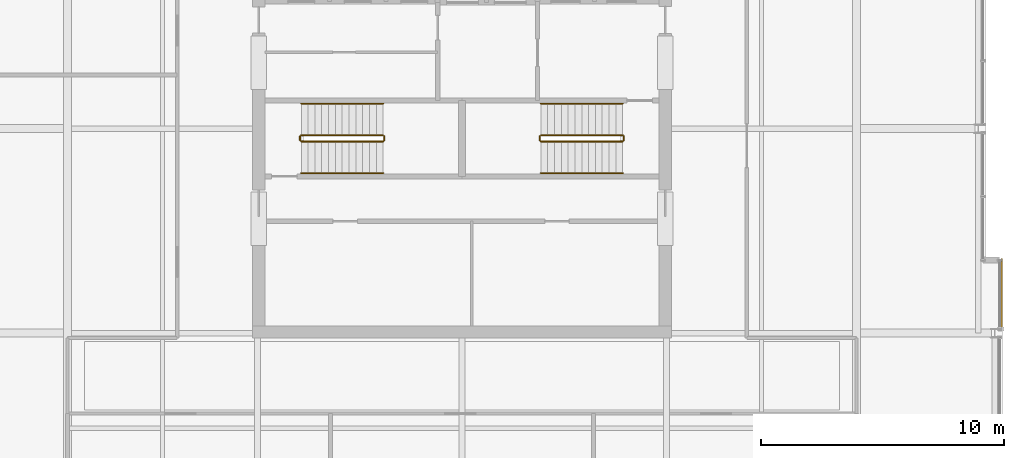
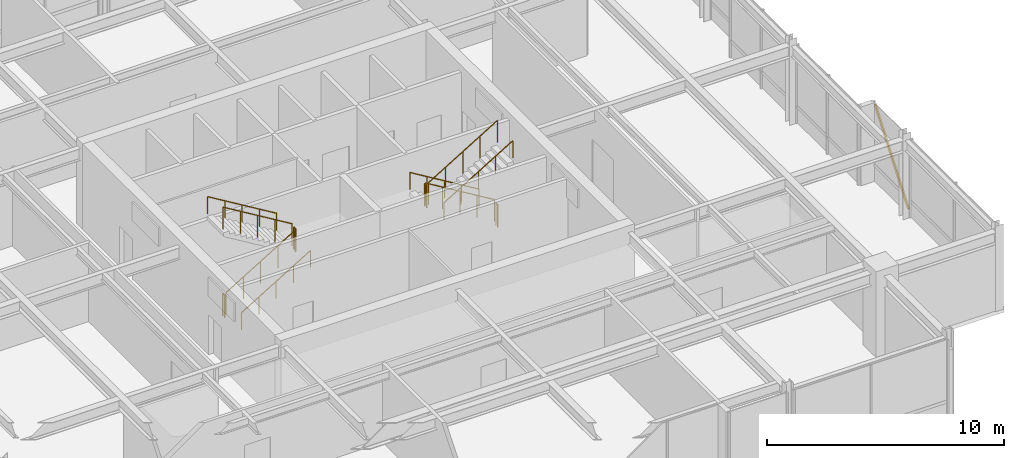
# One storey, part 32 of 33: 12 railings, 1 shading device.
"""IFC4 building model written with IfcOpenShell, lengths in metres."""

from ifc_helpers import new_model, si_unit, direction, frame, origin, origin_2d, place, context, subcontext, project, spatial, hollow_rectangle, circle, extrude, material, material_profile, profile_set, type_object, element, save


model = new_model("IFC4")

# Units and contexts
model_context = context("Model", 3, precision=1e-05, world=origin(), true_north=direction((0.0, 1.0)))
body_context = subcontext(model_context, "Body", "Model", "MODEL_VIEW")
ifc_project = project(units=[si_unit("LENGTHUNIT", "METRE"), si_unit("AREAUNIT", "SQUARE_METRE"), si_unit("VOLUMEUNIT", "CUBIC_METRE"), si_unit("PLANEANGLEUNIT", "RADIAN"), si_unit("MASSUNIT", "GRAM", prefix="KILO")], contexts=[model_context])

# Site, building, storey
site_placement = place(None, origin())
site = spatial("IfcSite", under=ifc_project, at=site_placement, CompositionType="ELEMENT")
building_placement = place(site_placement, origin())
building = spatial("IfcBuilding", under=site, at=building_placement, Name="Drelvath Grand Hotel", CompositionType="ELEMENT")
storey_placement = place(building_placement, frame((0.0, 0.0, 298.60009765625)))
storey = spatial("IfcBuildingStorey", under=building, at=storey_placement, Name="L78", CompositionType="ELEMENT", Elevation=298.60009765625)

# Railings
ifc_material_1 = material(Name="Painted Steel S275", Category="steel")
railing_type_1 = type_object("IfcRailingType", Name="Core Stair Wall Handrail 900", PredefinedType="HANDRAIL", material=ifc_material_1)
railing_1_placement = place(storey_placement, frame((-6.60009765625, 25.169921875, 0.169189453125)))
element("IfcRailing", 1, at=railing_1_placement, inside=storey, type_object=railing_type_1, Name="L78 ST-1 stair handrail 1", PredefinedType="HANDRAIL", context=body_context, shape_type="SweptSolid", body=[
    extrude(circle(Radius=0.02392578125, at=origin_2d()), frame((0.0, 0.0, 0.8759765625), z_axis=(0.855836976705, 0.0, 0.517245656632), x_axis=(0.0, 1.0, 0.0)), (0.0, 0.0, 1.0), 3.926025390625),
    extrude(circle(Radius=0.02099609375, at=origin_2d()), origin(), (0.0, 0.0, 1.0), 0.851806640625),
    extrude(circle(Radius=0.02099609375, at=origin_2d()), frame((0.840087890625, 0.0, 0.5078125)), (0.0, 0.0, 1.0), 0.851806640625),
    extrude(circle(Radius=0.02099609375, at=origin_2d()), frame((1.68017578125, 0.0, 1.015380859375)), (0.0, 0.0, 1.0), 0.851806640625),
    extrude(circle(Radius=0.02099609375, at=origin_2d()), frame((2.52001953125, 0.0, 1.52294921875)), (0.0, 0.0, 1.0), 0.851806640625),
    extrude(circle(Radius=0.02099609375, at=origin_2d()), frame((3.360107421875, 0.0, 2.03076171875)), (0.0, 0.0, 1.0), 0.851806640625),
])
for number, where, name in (
    (2, (-3.239990234375, 28.030029296875, 2.369140625), "L78 ST-1 stair handrail 2"),
    (3, (6.60009765625, 28.030029296875, 0.169189453125), "L78 ST-2 stair handrail 1"),
):
    element("IfcRailing", number, at=place(storey_placement, frame(where)), inside=storey, type_object=railing_type_1, Name=name, PredefinedType="HANDRAIL", context=body_context, shape_type="SweptSolid", body=[
        extrude(circle(Radius=0.02392578125, at=origin_2d()), frame((0.0, 0.0, 0.8759765625), z_axis=(-0.855836976705, 0.0, 0.517245656632), x_axis=(0.0, -1.0, 0.0)), (0.0, 0.0, 1.0), 3.926025390625),
        extrude(circle(Radius=0.02099609375, at=origin_2d()), origin(), (0.0, 0.0, 1.0), 0.851806640625),
        extrude(circle(Radius=0.02099609375, at=origin_2d()), frame((-0.840087890625, 0.0, 0.5078125)), (0.0, 0.0, 1.0), 0.851806640625),
        extrude(circle(Radius=0.02099609375, at=origin_2d()), frame((-1.68017578125, 0.0, 1.015380859375)), (0.0, 0.0, 1.0), 0.851806640625),
        extrude(circle(Radius=0.02099609375, at=origin_2d()), frame((-2.52001953125, 0.0, 1.52294921875)), (0.0, 0.0, 1.0), 0.851806640625),
        extrude(circle(Radius=0.02099609375, at=origin_2d()), frame((-3.360107421875, 0.0, 2.03076171875)), (0.0, 0.0, 1.0), 0.851806640625),
    ])
railing_2_placement = place(storey_placement, frame((3.239990234375, 25.169921875, 2.369140625)))
element("IfcRailing", 4, at=railing_2_placement, inside=storey, type_object=railing_type_1, Name="L78 ST-2 stair handrail 2", PredefinedType="HANDRAIL", context=body_context, shape_type="SweptSolid", body=[
    extrude(circle(Radius=0.02392578125, at=origin_2d()), frame((0.0, 0.0, 0.8759765625), z_axis=(0.855836976705, 0.0, 0.517245656632), x_axis=(0.0, 1.0, 0.0)), (0.0, 0.0, 1.0), 3.926025390625),
    extrude(circle(Radius=0.02099609375, at=origin_2d()), origin(), (0.0, 0.0, 1.0), 0.851806640625),
    extrude(circle(Radius=0.02099609375, at=origin_2d()), frame((0.840087890625, 0.0, 0.5078125)), (0.0, 0.0, 1.0), 0.851806640625),
    extrude(circle(Radius=0.02099609375, at=origin_2d()), frame((1.68017578125, 0.0, 1.015380859375)), (0.0, 0.0, 1.0), 0.851806640625),
    extrude(circle(Radius=0.02099609375, at=origin_2d()), frame((2.52001953125, 0.0, 1.52294921875)), (0.0, 0.0, 1.0), 0.851806640625),
    extrude(circle(Radius=0.02099609375, at=origin_2d()), frame((3.360107421875, 0.0, 2.03076171875)), (0.0, 0.0, 1.0), 0.851806640625),
])
railing_type_2 = type_object("IfcRailingType", Name="Core Stair Well Guardrail 1100", PredefinedType="GUARDRAIL", material=ifc_material_1)
railing_3_placement = place(storey_placement, frame((-6.60009765625, 26.469970703125, 0.169189453125)))
element("IfcRailing", 5, at=railing_3_placement, inside=storey, type_object=railing_type_2, Name="L78 ST-1 stair guard 1", PredefinedType="GUARDRAIL", context=body_context, shape_type="SweptSolid", body=[
    extrude(circle(Radius=0.02392578125, at=origin_2d()), frame((0.0, 0.0, 1.1259765625), z_axis=(0.855836976705, 0.0, 0.517245656632), x_axis=(0.0, 1.0, 0.0)), (0.0, 0.0, 1.0), 3.926025390625),
    extrude(circle(Radius=0.02099609375, at=origin_2d()), origin(), (0.0, 0.0, 1.0), 1.101806640625),
    extrude(circle(Radius=0.02099609375, at=origin_2d()), frame((0.840087890625, 0.0, 0.5078125)), (0.0, 0.0, 1.0), 1.101806640625),
    extrude(circle(Radius=0.02099609375, at=origin_2d()), frame((1.68017578125, 0.0, 1.015380859375)), (0.0, 0.0, 1.0), 1.101806640625),
    extrude(circle(Radius=0.02099609375, at=origin_2d()), frame((2.52001953125, 0.0, 1.52294921875)), (0.0, 0.0, 1.0), 1.101806640625),
    extrude(circle(Radius=0.02099609375, at=origin_2d()), frame((3.360107421875, 0.0, 2.03076171875)), (0.0, 0.0, 1.0), 1.101806640625),
])
railing_4_placement = place(storey_placement, frame((-3.18994140625, 26.52001953125, 2.199951171875)))
element("IfcRailing", 6, at=railing_4_placement, inside=storey, type_object=railing_type_2, Name="L78 ST-1 stair guard 2", PredefinedType="GUARDRAIL", context=body_context, shape_type="SweptSolid", body=[
    extrude(circle(Radius=0.02392578125, at=origin_2d()), frame((0.0, 0.0, 1.1259765625), z_axis=(0.0, 1.0, 0.0), x_axis=(-1.0, 0.0, 0.0)), (0.0, 0.0, 1.0), 0.159912109375),
    extrude(circle(Radius=0.02099609375, at=origin_2d()), origin(), (0.0, 0.0, 1.0), 1.101806640625),
    extrude(circle(Radius=0.02099609375, at=origin_2d()), frame((0.0, 0.159912109375, 0.0)), (0.0, 0.0, 1.0), 1.101806640625),
])
railing_5_placement = place(storey_placement, frame((-3.239990234375, 26.72998046875, 2.369140625)))
element("IfcRailing", 7, at=railing_5_placement, inside=storey, type_object=railing_type_2, Name="L78 ST-1 stair guard 3", PredefinedType="GUARDRAIL", context=body_context, shape_type="SweptSolid", body=[
    extrude(circle(Radius=0.02392578125, at=origin_2d()), frame((0.0, 0.0, 1.1259765625), z_axis=(-0.855836976705, 0.0, 0.517245656632), x_axis=(0.0, -1.0, 0.0)), (0.0, 0.0, 1.0), 3.926025390625),
    extrude(circle(Radius=0.02099609375, at=origin_2d()), origin(), (0.0, 0.0, 1.0), 1.101806640625),
    extrude(circle(Radius=0.02099609375, at=origin_2d()), frame((-0.840087890625, 0.0, 0.5078125)), (0.0, 0.0, 1.0), 1.101806640625),
    extrude(circle(Radius=0.02099609375, at=origin_2d()), frame((-1.68017578125, 0.0, 1.015380859375)), (0.0, 0.0, 1.0), 1.101806640625),
    extrude(circle(Radius=0.02099609375, at=origin_2d()), frame((-2.52001953125, 0.0, 1.52294921875)), (0.0, 0.0, 1.0), 1.101806640625),
    extrude(circle(Radius=0.02099609375, at=origin_2d()), frame((-3.360107421875, 0.0, 2.03076171875)), (0.0, 0.0, 1.0), 1.101806640625),
])
railing_6_placement = place(storey_placement, frame((-6.64990234375, 26.52001953125, 0.0)))
element("IfcRailing", 8, at=railing_6_placement, inside=storey, type_object=railing_type_2, Name="L78 ST-1 stair guard 4", PredefinedType="GUARDRAIL", context=body_context, shape_type="SweptSolid", body=[
    extrude(circle(Radius=0.02392578125, at=origin_2d()), frame((0.0, 0.0, 1.1259765625), z_axis=(0.0, 1.0, 0.0), x_axis=(-1.0, 0.0, 0.0)), (0.0, 0.0, 1.0), 0.159912109375),
    extrude(circle(Radius=0.02099609375, at=origin_2d()), origin(), (0.0, 0.0, 1.0), 1.101806640625),
    extrude(circle(Radius=0.02099609375, at=origin_2d()), frame((0.0, 0.159912109375, 0.0)), (0.0, 0.0, 1.0), 1.101806640625),
])
railing_7_placement = place(storey_placement, frame((6.60009765625, 26.72998046875, 0.169189453125)))
element("IfcRailing", 9, at=railing_7_placement, inside=storey, type_object=railing_type_2, Name="L78 ST-2 stair guard 1", PredefinedType="GUARDRAIL", context=body_context, shape_type="SweptSolid", body=[
    extrude(circle(Radius=0.02392578125, at=origin_2d()), frame((0.0, 0.0, 1.1259765625), z_axis=(-0.855836976705, 0.0, 0.517245656632), x_axis=(0.0, -1.0, 0.0)), (0.0, 0.0, 1.0), 3.926025390625),
    extrude(circle(Radius=0.02099609375, at=origin_2d()), origin(), (0.0, 0.0, 1.0), 1.101806640625),
    extrude(circle(Radius=0.02099609375, at=origin_2d()), frame((-0.840087890625, 0.0, 0.5078125)), (0.0, 0.0, 1.0), 1.101806640625),
    extrude(circle(Radius=0.02099609375, at=origin_2d()), frame((-1.68017578125, 0.0, 1.015380859375)), (0.0, 0.0, 1.0), 1.101806640625),
    extrude(circle(Radius=0.02099609375, at=origin_2d()), frame((-2.52001953125, 0.0, 1.52294921875)), (0.0, 0.0, 1.0), 1.101806640625),
    extrude(circle(Radius=0.02099609375, at=origin_2d()), frame((-3.360107421875, 0.0, 2.03076171875)), (0.0, 0.0, 1.0), 1.101806640625),
])
railing_8_placement = place(storey_placement, frame((3.18994140625, 26.679931640625, 2.199951171875)))
element("IfcRailing", 10, at=railing_8_placement, inside=storey, type_object=railing_type_2, Name="L78 ST-2 stair guard 2", PredefinedType="GUARDRAIL", context=body_context, shape_type="SweptSolid", body=[
    extrude(circle(Radius=0.02392578125, at=origin_2d()), frame((0.0, 0.0, 1.1259765625), z_axis=(0.0, -1.0, 0.0), x_axis=(1.0, 0.0, 0.0)), (0.0, 0.0, 1.0), 0.159912109375),
    extrude(circle(Radius=0.02099609375, at=origin_2d()), origin(), (0.0, 0.0, 1.0), 1.101806640625),
    extrude(circle(Radius=0.02099609375, at=origin_2d()), frame((0.0, -0.159912109375, 0.0)), (0.0, 0.0, 1.0), 1.101806640625),
])
railing_9_placement = place(storey_placement, frame((3.239990234375, 26.469970703125, 2.369140625)))
element("IfcRailing", 11, at=railing_9_placement, inside=storey, type_object=railing_type_2, Name="L78 ST-2 stair guard 3", PredefinedType="GUARDRAIL", context=body_context, shape_type="SweptSolid", body=[
    extrude(circle(Radius=0.02392578125, at=origin_2d()), frame((0.0, 0.0, 1.1259765625), z_axis=(0.855836976705, 0.0, 0.517245656632), x_axis=(0.0, 1.0, 0.0)), (0.0, 0.0, 1.0), 3.926025390625),
    extrude(circle(Radius=0.02099609375, at=origin_2d()), origin(), (0.0, 0.0, 1.0), 1.101806640625),
    extrude(circle(Radius=0.02099609375, at=origin_2d()), frame((0.840087890625, 0.0, 0.5078125)), (0.0, 0.0, 1.0), 1.101806640625),
    extrude(circle(Radius=0.02099609375, at=origin_2d()), frame((1.68017578125, 0.0, 1.015380859375)), (0.0, 0.0, 1.0), 1.101806640625),
    extrude(circle(Radius=0.02099609375, at=origin_2d()), frame((2.52001953125, 0.0, 1.52294921875)), (0.0, 0.0, 1.0), 1.101806640625),
    extrude(circle(Radius=0.02099609375, at=origin_2d()), frame((3.360107421875, 0.0, 2.03076171875)), (0.0, 0.0, 1.0), 1.101806640625),
])
railing_10_placement = place(storey_placement, frame((6.64990234375, 26.679931640625, 0.0)))
element("IfcRailing", 12, at=railing_10_placement, inside=storey, type_object=railing_type_2, Name="L78 ST-2 stair guard 4", PredefinedType="GUARDRAIL", context=body_context, shape_type="SweptSolid", body=[
    extrude(circle(Radius=0.02392578125, at=origin_2d()), frame((0.0, 0.0, 1.1259765625), z_axis=(0.0, -1.0, 0.0), x_axis=(1.0, 0.0, 0.0)), (0.0, 0.0, 1.0), 0.159912109375),
    extrude(circle(Radius=0.02099609375, at=origin_2d()), origin(), (0.0, 0.0, 1.0), 1.101806640625),
    extrude(circle(Radius=0.02099609375, at=origin_2d()), frame((0.0, -0.159912109375, 0.0)), (0.0, 0.0, 1.0), 1.101806640625),
])

# Shading device
ifc_material_2 = material(Name="Platinum-Mist Anodised Aluminium", Category="aluminium")
ifc_material_profile = material_profile(ifc_material_2, hollow_rectangle(XDim=0.06494140625, YDim=0.159912109375, WallThickness=0.00390625, at=origin_2d()), Name="HSS160X65X4")
ifc_profile_set = profile_set([ifc_material_profile], Name="Platinum-Mist Anodised Aluminium")
shading_device_type = type_object("IfcShadingDeviceType", Name="Diagonal Solar Fin Platinum Anodised HSS160X65X4", PredefinedType="USERDEFINED", material=ifc_profile_set)
shading_device_placement = place(storey_placement, frame((22.159912109375, 18.77001953125, 0.179931640625), z_axis=(0.0, 0.608583632761, 0.793489736503), x_axis=(-1.0, 0.0, 0.0)))
element("IfcShadingDevice", 13, at=shading_device_placement, inside=storey, type_object=shading_device_type, Name="L78 Diagonal Anodised Fin CW05-L78-ES2", ObjectType="FIN", PredefinedType="USERDEFINED", context=body_context, shape_type="SweptSolid", body=[
    extrude(hollow_rectangle(XDim=0.06494140625, YDim=0.159912109375, WallThickness=0.00390625, at=origin_2d()), origin(), (0.0, 0.0, 1.0), 4.650390625),
])

save(model, "model.ifc")
